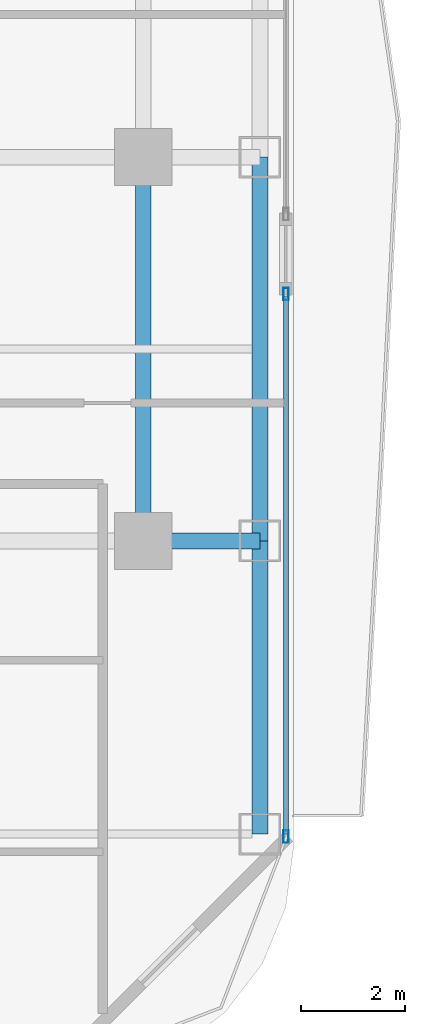
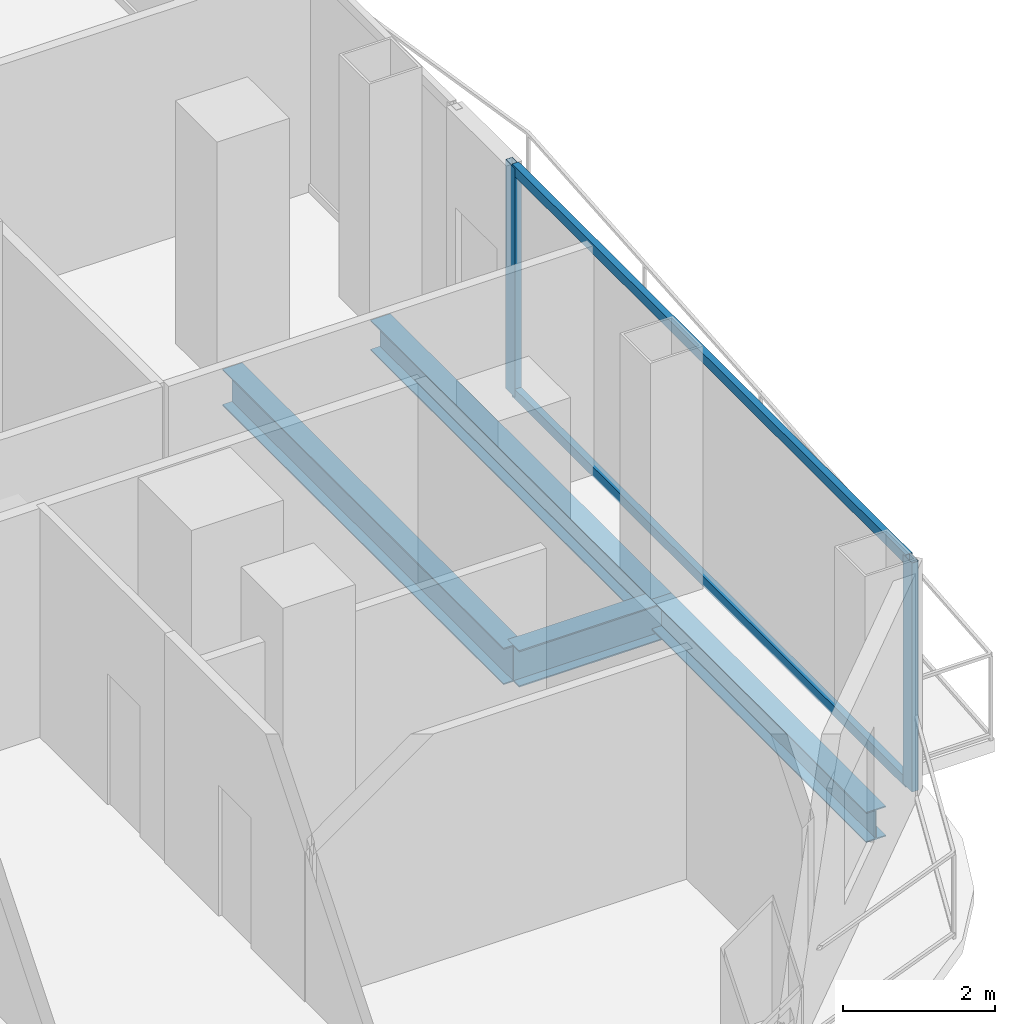
# One storey, part 10 of 29: 4 beams, 4 members, 1 element without a shape of its own.
"""IFC4 building model written with IfcOpenShell, lengths in metres."""

from ifc_helpers import new_model, si_unit, direction, frame, origin, origin_2d, place, context, subcontext, project, spatial, hollow_rectangle, i_section, extrude, material, layer, layer_set, material_profile, profile_set, type_object, element, aggregate, save


model = new_model("IFC4")

# Units and contexts
model_context = context("Model", 3, precision=1e-05, world=origin(), true_north=direction((0.0, 1.0)))
body_context = subcontext(model_context, "Body", "Model", "MODEL_VIEW")
ifc_project = project(units=[si_unit("LENGTHUNIT", "METRE"), si_unit("AREAUNIT", "SQUARE_METRE"), si_unit("VOLUMEUNIT", "CUBIC_METRE"), si_unit("PLANEANGLEUNIT", "RADIAN"), si_unit("MASSUNIT", "GRAM", prefix="KILO")], contexts=[model_context])

# Site, building, storey
site_placement = place(None, origin())
site = spatial("IfcSite", under=ifc_project, at=site_placement, CompositionType="ELEMENT")
building_placement = place(site_placement, origin())
building = spatial("IfcBuilding", under=site, at=building_placement, Name="Khorvyn Point Tower", CompositionType="ELEMENT")
storey_placement = place(building_placement, frame((0.0, 0.0, 69.60009765625)))
storey = spatial("IfcBuildingStorey", under=building, at=storey_placement, Name="L18", CompositionType="ELEMENT", Elevation=69.60009765625)

# Curtain wall, members
ifc_material_1 = material(Name="Anodised aluminium 6063-T6 and laminated Low-E glass", Category="aluminium")
ifc_layer = layer(ifc_material_1, 0.18994140625)
ifc_layer_set = layer_set([ifc_layer], Name="Stick-Built Finned Residential Curtain Wall CW-SYS-02")
curtain_wall_type = type_object("IfcCurtainWallType", Name="Stick-Built Finned Residential Curtain Wall CW-SYS-02", PredefinedType="NOTDEFINED", material=ifc_layer_set)
curtain_wall_placement = place(storey_placement, origin())
curtain_wall = element("IfcCurtainWall", 1, at=curtain_wall_placement, inside=storey, type_object=curtain_wall_type, Name="Curtain Wall", PredefinedType="NOTDEFINED")
ifc_material_2 = material(Name="Anodised aluminium 6063-T6", Category="aluminium")
ifc_material_profile_1 = material_profile(ifc_material_2, hollow_rectangle(XDim=0.10009765625, YDim=0.239990234375, WallThickness=0.0048828125, at=origin_2d()))
ifc_profile_set_1 = profile_set([ifc_material_profile_1], Name="Anodised aluminium 6063-T6 ALU-MUL-100x240")
member_type_1 = type_object("IfcMemberType", Name="Anodised Aluminium 6063-T6 Mullion ALU-MUL-100x240", PredefinedType="MULLION", material=ifc_profile_set_1)
member_1_placement = place(storey_placement, frame((22.14990234375, -10.0380859375, 0.0), z_axis=(0.0, 0.0, 1.0), x_axis=(1.0, 0.0, 0.0)))
member_1 = element("IfcMember", 2, at=member_1_placement, type_object=member_type_1, Name="Transom", PredefinedType="MULLION", context=body_context, shape_type="SweptSolid", body=[
    extrude(hollow_rectangle(XDim=0.10009765625, YDim=0.239990234375, WallThickness=0.0048828125, at=origin_2d()), origin(), (0.0, 0.0, 1.0), 3.679931640625),
])
member_2_placement = place(storey_placement, frame((22.14990234375, -20.5, 0.0), z_axis=(0.0, 0.0, 1.0), x_axis=(1.0, 0.0, 0.0)))
member_2 = element("IfcMember", 3, at=member_2_placement, type_object=member_type_1, Name="Transom", PredefinedType="MULLION", context=body_context, shape_type="SweptSolid", body=[
    extrude(hollow_rectangle(XDim=0.10009765625, YDim=0.239990234375, WallThickness=0.0048828125, at=origin_2d()), origin(), (0.0, 0.0, 1.0), 3.679931640625),
])
ifc_material_profile_2 = material_profile(ifc_material_2, hollow_rectangle(XDim=0.10009765625, YDim=0.159912109375, WallThickness=0.00439453125, at=origin_2d()))
ifc_profile_set_2 = profile_set([ifc_material_profile_2], Name="Anodised aluminium 6063-T6 ALU-TRN-100x160")
member_type_2 = type_object("IfcMemberType", Name="Anodised Aluminium 6063-T6 Transom ALU-TRN-100x160", PredefinedType="USERDEFINED", material=ifc_profile_set_2)
member_3_placement = place(storey_placement, frame((22.14990234375, -10.087890625, 0.0498046875), z_axis=(0.0, -1.0, 0.0), x_axis=(1.0, 0.0, 0.0)))
member_3 = element("IfcMember", 4, at=member_3_placement, type_object=member_type_2, Name="Transom", ObjectType="TRANSOM", PredefinedType="USERDEFINED", context=body_context, shape_type="SweptSolid", body=[
    extrude(hollow_rectangle(XDim=0.10009765625, YDim=0.159912109375, WallThickness=0.00439453125, at=origin_2d()), origin(), (0.0, 0.0, 1.0), 10.362060546875),
])
member_4_placement = place(storey_placement, frame((22.14990234375, -10.087890625, 3.6298828125), z_axis=(0.0, -1.0, 0.0), x_axis=(1.0, 0.0, 0.0)))
member_4 = element("IfcMember", 5, at=member_4_placement, type_object=member_type_2, Name="Transom", ObjectType="TRANSOM", PredefinedType="USERDEFINED", context=body_context, shape_type="SweptSolid", body=[
    extrude(hollow_rectangle(XDim=0.10009765625, YDim=0.159912109375, WallThickness=0.00439453125, at=origin_2d()), origin(), (0.0, 0.0, 1.0), 10.362060546875),
])
aggregate(curtain_wall, [member_1, member_2, member_3, member_4])

# Beams
ifc_material_3 = material(Name="Steel S355", Category="steel")
ifc_material_profile_3 = material_profile(ifc_material_3, i_section(OverallWidth=0.300048828125, OverallDepth=0.587890625, WebThickness=0.011962890625, FlangeThickness=0.02001953125, at=origin_2d()))
ifc_profile_set_3 = profile_set([ifc_material_profile_3], Name="Steel S355 H588x300x12x20")
beam_type_1 = type_object("IfcBeamType", Name="Steel S355 Beam H588x300x12x20", PredefinedType="BEAM", material=ifc_profile_set_3)
beam_1_placement = place(storey_placement, frame((19.39990234375, -14.800048828125, -0.51416015625), z_axis=(1.0, 0.0, 0.0), x_axis=(0.0, 1.0, 0.0)))
element("IfcBeam", 6, at=beam_1_placement, inside=storey, type_object=beam_type_1, Name="Beam", PredefinedType="BEAM", context=body_context, shape_type="SweptSolid", body=[
    extrude(i_section(OverallWidth=0.300048828125, OverallDepth=0.587890625, WebThickness=0.011962890625, FlangeThickness=0.02001953125, at=origin_2d()), origin(), (0.0, 0.0, 1.0), 2.25),
])
beam_2_placement = place(storey_placement, frame((19.39990234375, -14.800048828125, -0.51416015625), z_axis=(0.0, 1.0, 0.0), x_axis=(-1.0, 0.0, 0.0)))
element("IfcBeam", 7, at=beam_2_placement, inside=storey, type_object=beam_type_1, Name="Beam", PredefinedType="BEAM", context=body_context, shape_type="SweptSolid", body=[
    extrude(i_section(OverallWidth=0.300048828125, OverallDepth=0.587890625, WebThickness=0.011962890625, FlangeThickness=0.02001953125, at=origin_2d()), origin(), (0.0, 0.0, 1.0), 7.400146484375),
])
ifc_material_profile_4 = material_profile(ifc_material_3, i_section(OverallWidth=0.300048828125, OverallDepth=0.488037109375, WebThickness=0.010986328125, FlangeThickness=0.01806640625, at=origin_2d()))
ifc_profile_set_4 = profile_set([ifc_material_profile_4], Name="Steel S355 H488x300x11x18")
beam_type_2 = type_object("IfcBeamType", Name="Steel S355 Spandrel H488x300x11x18", PredefinedType="SPANDREL", material=ifc_profile_set_4)
beam_3_placement = place(storey_placement, frame((21.64990234375, -20.449951171875, -0.464111328125), z_axis=(0.0, 1.0, 0.0), x_axis=(-1.0, 0.0, 0.0)))
element("IfcBeam", 8, at=beam_3_placement, inside=storey, type_object=beam_type_2, Name="Beam", PredefinedType="SPANDREL", context=body_context, shape_type="SweptSolid", body=[
    extrude(i_section(OverallWidth=0.300048828125, OverallDepth=0.488037109375, WebThickness=0.010986328125, FlangeThickness=0.01806640625, at=origin_2d()), origin(), (0.0, 0.0, 1.0), 5.64990234375),
])
beam_4_placement = place(storey_placement, frame((21.64990234375, -14.800048828125, -0.464111328125), z_axis=(0.0, 1.0, 0.0), x_axis=(-1.0, 0.0, 0.0)))
element("IfcBeam", 9, at=beam_4_placement, inside=storey, type_object=beam_type_2, Name="Beam", PredefinedType="SPANDREL", context=body_context, shape_type="SweptSolid", body=[
    extrude(i_section(OverallWidth=0.300048828125, OverallDepth=0.488037109375, WebThickness=0.010986328125, FlangeThickness=0.01806640625, at=origin_2d()), origin(), (0.0, 0.0, 1.0), 7.400146484375),
])

save(model, "model.ifc")
